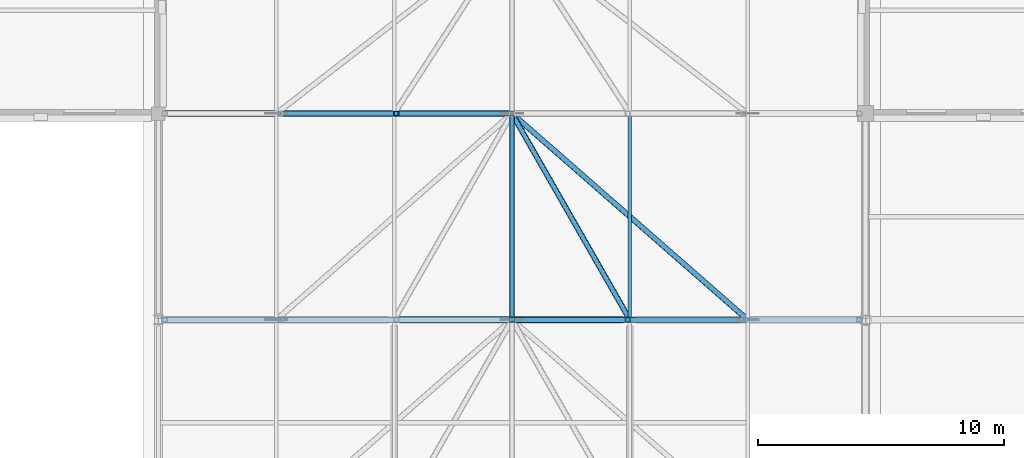
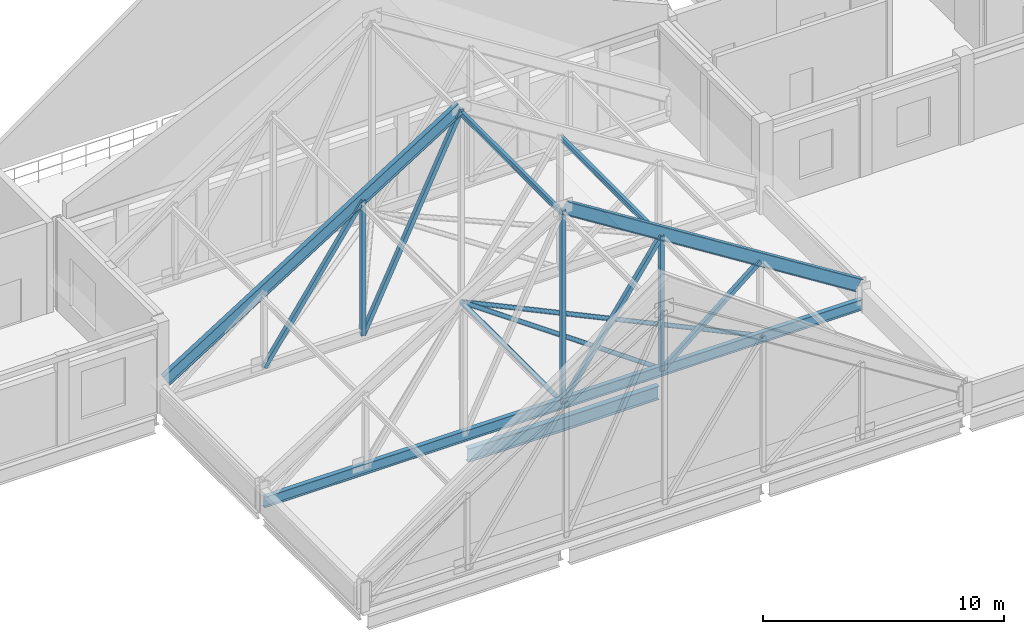
# One storey, part 6 of 26: 10 members, 6 beams.
"""IFC4 building model written with IfcOpenShell, lengths in metres."""

from ifc_helpers import new_model, si_unit, direction, frame, origin, origin_2d, place, context, subcontext, project, spatial, hollow_rectangle, hollow_circle, i_section, extrude, material, material_profile, profile_set, type_object, element, save


model = new_model("IFC4")

# Units and contexts
model_context = context("Model", 3, precision=1e-05, world=origin(), true_north=direction((0.0, 1.0)))
body_context = subcontext(model_context, "Body", "Model", "MODEL_VIEW")
ifc_project = project(units=[si_unit("LENGTHUNIT", "METRE"), si_unit("AREAUNIT", "SQUARE_METRE"), si_unit("VOLUMEUNIT", "CUBIC_METRE"), si_unit("PLANEANGLEUNIT", "RADIAN"), si_unit("MASSUNIT", "GRAM", prefix="KILO")], contexts=[model_context])

# Site, building, storey
site_placement = place(None, origin())
site = spatial("IfcSite", under=ifc_project, at=site_placement, CompositionType="ELEMENT")
building_placement = place(site_placement, origin())
building = spatial("IfcBuilding", under=site, at=building_placement, Name="Lornevale Opera House", CompositionType="ELEMENT")
storey_placement = place(building_placement, frame((0.0, 0.0, 19.800048828125)))
storey = spatial("IfcBuildingStorey", under=building, at=storey_placement, Name="L05", CompositionType="ELEMENT", Elevation=19.800048828125)

# Beams
ifc_material = material(Name="Structural Steel CSA G40.21 Grade 350W (350 MPa)", Category="steel")
ifc_material_profile_1 = material_profile(ifc_material, i_section(OverallWidth=0.2099609375, OverallDepth=0.537109375, WebThickness=0.010986328125, FlangeThickness=0.017333984375, at=origin_2d()), Name="W530x101")
ifc_profile_set_1 = profile_set([ifc_material_profile_1], Name="Structural Steel CSA G40.21 Grade 350W (350 MPa)")
beam_type_1 = type_object("IfcBeamType", Name="Auditorium Truss Bottom Chord W530x101", PredefinedType="BEAM", material=ifc_profile_set_1)
beam_1_placement = place(storey_placement, frame((67.300048828125, 42.0, 0.349853515625), z_axis=(1.0, 0.0, 0.0), x_axis=(0.0, 1.0, 0.0)))
element("IfcBeam", 1, at=beam_1_placement, inside=storey, type_object=beam_type_1, Name="Auditorium Truss Bottom Chord W530x101 2960", PredefinedType="BEAM", context=body_context, shape_type="SweptSolid", body=[
    extrude(i_section(OverallWidth=0.2099609375, OverallDepth=0.537109375, WebThickness=0.010986328125, FlangeThickness=0.017333984375, at=origin_2d()), origin(), (0.0, 0.0, 1.0), 28.599853515625),
])
ifc_material_profile_2 = material_profile(ifc_material, i_section(OverallWidth=0.22900390625, OverallDepth=0.612060546875, WebThickness=0.011962890625, FlangeThickness=0.01953125, at=origin_2d()), Name="W610x125")
ifc_profile_set_2 = profile_set([ifc_material_profile_2], Name="Structural Steel CSA G40.21 Grade 350W (350 MPa)")
beam_type_2 = type_object("IfcBeamType", Name="Auditorium Truss Top Chord W610x125", PredefinedType="BEAM", material=ifc_profile_set_2)
for number, where, z_axis, x_axis, name in (
    (2, (81.64990234375, 42.0, 10.22314453125), (0.846355912416, 0.0, -0.532617751788), (0.0, 1.0, 0.0), "Auditorium Truss Top Chord W610x125 2962"),
    (3, (67.449951171875, 50.39990234375, 1.349853515625), (0.846355912416, 0.0, 0.532617751788), (0.0, 1.0, 0.0), "Auditorium Truss Top Chord W610x125 2964"),
):
    element("IfcBeam", number, at=place(storey_placement, frame(where, z_axis=z_axis, x_axis=x_axis)), inside=storey, type_object=beam_type_2, Name=name, PredefinedType="BEAM", context=body_context, shape_type="SweptSolid", body=[
        extrude(i_section(OverallWidth=0.22900390625, OverallDepth=0.612060546875, WebThickness=0.011962890625, FlangeThickness=0.01953125, at=origin_2d()), origin(), (0.0, 0.0, 1.0), 16.65966796875),
    ])

# Members
ifc_material_profile_3 = material_profile(ifc_material, hollow_rectangle(XDim=0.202880859375, YDim=0.202880859375, WallThickness=0.010986328125, at=origin_2d()), Name="HSS203x203x11")
ifc_profile_set_3 = profile_set([ifc_material_profile_3], Name="Structural Steel CSA G40.21 Grade 350W (350 MPa)")
member_type_1 = type_object("IfcMemberType", Name="Auditorium Truss Web HSS203x203x11", PredefinedType="STRUT", material=ifc_profile_set_3)
member_1_placement = place(storey_placement, frame((81.60009765625, 42.0, 0.349853515625), z_axis=(0.0, 0.0, 1.0), x_axis=(1.0, 0.0, 0.0)))
element("IfcMember", 4, at=member_1_placement, inside=storey, type_object=member_type_1, Name="Auditorium Truss Web HSS203x203x11 0023", PredefinedType="STRUT", context=body_context, shape_type="SweptSolid", body=[
    extrude(hollow_rectangle(XDim=0.202880859375, YDim=0.202880859375, WallThickness=0.010986328125, at=origin_2d()), origin(), (0.0, 0.0, 1.0), 9.773193359375),
])
member_2_placement = place(storey_placement, frame((86.316650390625, 42.0, 0.349853515625), z_axis=(0.0, 0.0, 1.0), x_axis=(1.0, 0.0, 0.0)))
element("IfcMember", 5, at=member_2_placement, inside=storey, type_object=member_type_1, Name="Auditorium Truss Web HSS203x203x11 0025", PredefinedType="STRUT", context=body_context, shape_type="SweptSolid", body=[
    extrude(hollow_rectangle(XDim=0.202880859375, YDim=0.202880859375, WallThickness=0.010986328125, at=origin_2d()), origin(), (0.0, 0.0, 1.0), 6.8154296875),
])
member_3_placement = place(storey_placement, frame((81.60009765625, 42.0, 0.349853515625), z_axis=(0.56906139323, 0.0, 0.822295038739), x_axis=(0.0, 1.0, 0.0)))
element("IfcMember", 6, at=member_3_placement, inside=storey, type_object=member_type_1, Name="Auditorium Truss Web HSS203x203x11 0026", PredefinedType="STRUT", context=body_context, shape_type="SweptSolid", body=[
    extrude(hollow_rectangle(XDim=0.202880859375, YDim=0.202880859375, WallThickness=0.010986328125, at=origin_2d()), origin(), (0.0, 0.0, 1.0), 8.288330078125),
])
member_4_placement = place(storey_placement, frame((86.316650390625, 42.0, 0.349853515625), z_axis=(0.774044763738, 0.0, 0.633130874093), x_axis=(0.0, 1.0, 0.0)))
element("IfcMember", 7, at=member_4_placement, inside=storey, type_object=member_type_1, Name="Auditorium Truss Web HSS203x203x11 0028", PredefinedType="STRUT", context=body_context, shape_type="SweptSolid", body=[
    extrude(hollow_rectangle(XDim=0.202880859375, YDim=0.202880859375, WallThickness=0.010986328125, at=origin_2d()), origin(), (0.0, 0.0, 1.0), 6.093505859375),
])
member_5_placement = place(storey_placement, frame((76.88330078125, 50.39990234375, 0.349853515625), z_axis=(0.0, 0.0, 1.0), x_axis=(1.0, 0.0, 0.0)))
element("IfcMember", 8, at=member_5_placement, inside=storey, type_object=member_type_1, Name="Auditorium Truss Web HSS203x203x11 0033", PredefinedType="STRUT", context=body_context, shape_type="SweptSolid", body=[
    extrude(hollow_rectangle(XDim=0.202880859375, YDim=0.202880859375, WallThickness=0.010986328125, at=origin_2d()), origin(), (0.0, 0.0, 1.0), 6.8154296875),
])
member_6_placement = place(storey_placement, frame((72.166748046875, 50.39990234375, 0.349853515625), z_axis=(0.56906139323, 0.0, 0.822295038739), x_axis=(0.0, 1.0, 0.0)))
element("IfcMember", 9, at=member_6_placement, inside=storey, type_object=member_type_1, Name="Auditorium Truss Web HSS203x203x11 0034", PredefinedType="STRUT", context=body_context, shape_type="SweptSolid", body=[
    extrude(hollow_rectangle(XDim=0.202880859375, YDim=0.202880859375, WallThickness=0.010986328125, at=origin_2d()), origin(), (0.0, 0.0, 1.0), 8.288330078125),
])
member_7_placement = place(storey_placement, frame((76.88330078125, 50.39990234375, 0.349853515625), z_axis=(0.434652174265, 0.0, 0.900598405177), x_axis=(0.0, 1.0, 0.0)))
element("IfcMember", 10, at=member_7_placement, inside=storey, type_object=member_type_1, Name="Auditorium Truss Web HSS203x203x11 0036", PredefinedType="STRUT", context=body_context, shape_type="SweptSolid", body=[
    extrude(hollow_rectangle(XDim=0.202880859375, YDim=0.202880859375, WallThickness=0.010986328125, at=origin_2d()), origin(), (0.0, 0.0, 1.0), 10.851806640625),
])

# Beams
ifc_material_profile_4 = material_profile(ifc_material, i_section(OverallWidth=0.14794921875, OverallDepth=0.26611328125, WebThickness=0.007568359375, FlangeThickness=0.012939453125, at=origin_2d()), Name="W250x45")
ifc_profile_set_4 = profile_set([ifc_material_profile_4], Name="Structural Steel CSA G40.21 Grade 350W (350 MPa)")
beam_type_3 = type_object("IfcBeamType", Name="Copper Roof Purlin W250x45", PredefinedType="JOIST", material=ifc_profile_set_4)
for number, where, z_axis, x_axis, name in (
    (11, (81.60009765625, 42.0, 9.903076171875), (0.0, 1.0, 0.0), (-1.0, 0.0, 0.0), "Copper Roof Purlin W250x45 2976"),
    (12, (86.39990234375, 42.0, 6.9453125), (0.0, 1.0, 0.0), (-1.0, 0.0, 0.0), "Copper Roof Purlin W250x45 2979"),
):
    element("IfcBeam", number, at=place(storey_placement, frame(where, z_axis=z_axis, x_axis=x_axis)), inside=storey, type_object=beam_type_3, Name=name, PredefinedType="JOIST", context=body_context, shape_type="SweptSolid", body=[
        extrude(i_section(OverallWidth=0.14794921875, OverallDepth=0.26611328125, WebThickness=0.007568359375, FlangeThickness=0.012939453125, at=origin_2d()), origin(), (0.0, 0.0, 1.0), 8.39990234375),
    ])

# Members
ifc_material_profile_5 = material_profile(ifc_material, hollow_circle(Radius=0.109619140625, WallThickness=0.009521484375, at=origin_2d()), Name="HSS219x10")
ifc_profile_set_5 = profile_set([ifc_material_profile_5], Name="Structural Steel CSA G40.21 Grade 350W (350 MPa)")
member_type_2 = type_object("IfcMemberType", Name="Roof Plan Wind Brace HSS219x10", PredefinedType="BRACE", material=ifc_profile_set_5)
member_8_placement = place(storey_placement, frame((81.60009765625, 42.0, 0.349853515625), z_axis=(0.0, 1.0, 0.0), x_axis=(-1.0, 0.0, 0.0)))
element("IfcMember", 13, at=member_8_placement, inside=storey, type_object=member_type_2, Name="Roof Plan Wind Brace HSS219x10 0060", PredefinedType="BRACE", context=body_context, shape_type="SweptSolid", body=[
    extrude(hollow_circle(Radius=0.109619140625, WallThickness=0.009521484375, at=origin_2d()), origin(), (0.0, 0.0, 1.0), 8.39990234375),
])
member_9_placement = place(storey_placement, frame((86.39990234375, 42.0, 0.349853515625), z_axis=(-0.496128067682, 0.868249353848, 0.0), x_axis=(-0.868249353848, -0.496128067682, 0.0)))
element("IfcMember", 14, at=member_9_placement, inside=storey, type_object=member_type_2, Name="Roof Plan Wind Brace HSS219x10 0063", PredefinedType="BRACE", context=body_context, shape_type="SweptSolid", body=[
    extrude(hollow_circle(Radius=0.109619140625, WallThickness=0.009521484375, at=origin_2d()), origin(), (0.0, 0.0, 1.0), 9.674560546875),
])
member_10_placement = place(storey_placement, frame((91.199951171875, 42.0, 0.349853515625), z_axis=(-0.752575509087, 0.658505962861, 0.0), x_axis=(-0.658505962861, -0.752575509087, 0.0)))
element("IfcMember", 15, at=member_10_placement, inside=storey, type_object=member_type_2, Name="Roof Plan Wind Brace HSS219x10 0066", PredefinedType="BRACE", context=body_context, shape_type="SweptSolid", body=[
    extrude(hollow_circle(Radius=0.109619140625, WallThickness=0.009521484375, at=origin_2d()), origin(), (0.0, 0.0, 1.0), 12.756103515625),
])

# Beam
ifc_material_profile_6 = material_profile(ifc_material, i_section(OverallWidth=0.25390625, OverallDepth=0.68798828125, WebThickness=0.01318359375, FlangeThickness=0.02099609375, at=origin_2d()), Name="W690x152")
ifc_profile_set_6 = profile_set([ifc_material_profile_6], Name="Structural Steel CSA G40.21 Grade 350W (350 MPa)")
beam_type_4 = type_object("IfcBeamType", Name="Steel Foyer Beam W690x152", PredefinedType="USERDEFINED", material=ifc_profile_set_6)
beam_2_placement = place(storey_placement, frame((77.02490234375, 42.0, -0.678955078125), z_axis=(1.0, 0.0, 0.0), x_axis=(0.0, 1.0, 0.0)))
element("IfcBeam", 16, at=beam_2_placement, inside=storey, type_object=beam_type_4, Name="Steel Foyer Beam W690x152 2725", ObjectType="GIRDER", PredefinedType="USERDEFINED", context=body_context, shape_type="SweptSolid", body=[
    extrude(i_section(OverallWidth=0.25390625, OverallDepth=0.68798828125, WebThickness=0.01318359375, FlangeThickness=0.02099609375, at=origin_2d()), origin(), (0.0, 0.0, 1.0), 9.125),
])

save(model, "model.ifc")
